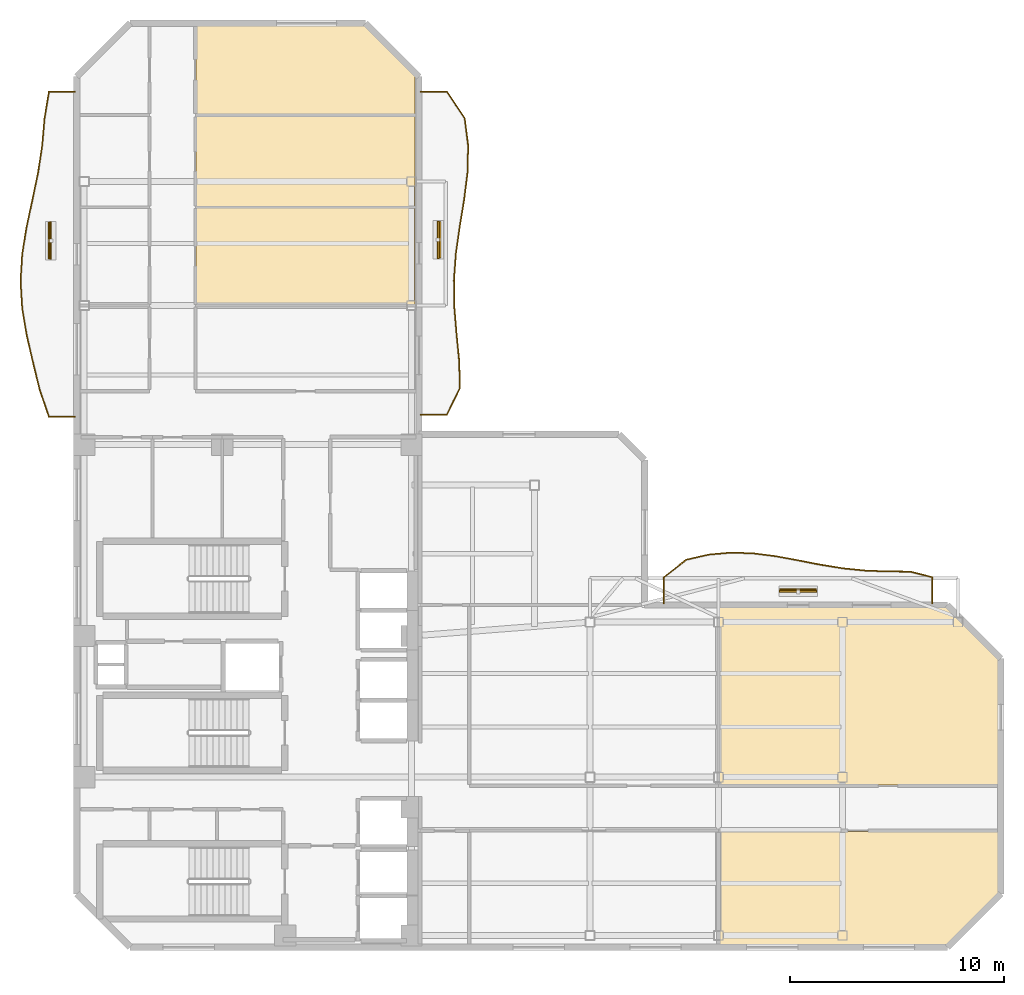
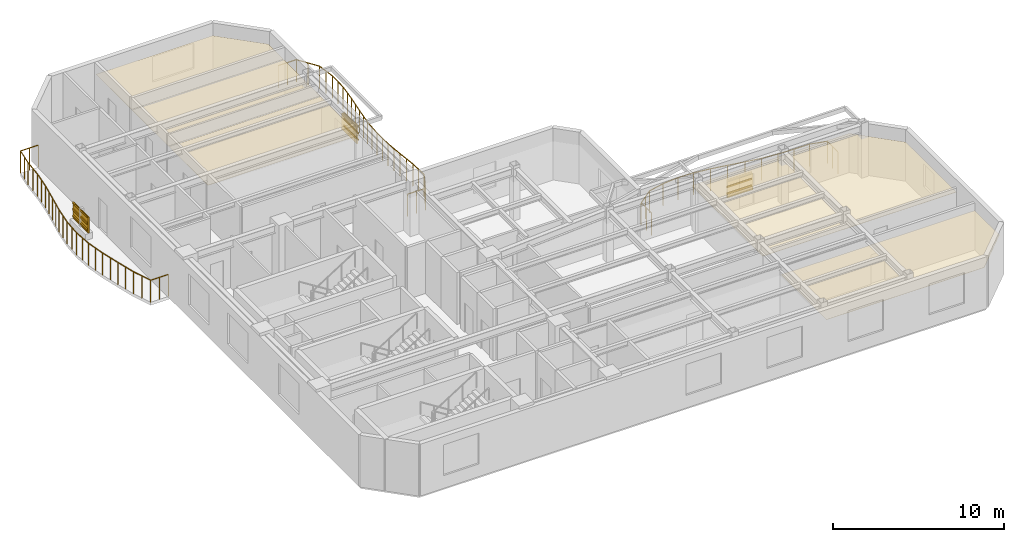
# One storey, part 8 of 8: 12 shading devices, 5 coverings, 3 railings.
"""IFC4 building model written with IfcOpenShell, lengths in metres."""

from ifc_helpers import new_model, si_unit, direction, frame, origin, origin_2d, place, context, subcontext, project, spatial, polyline, rectangle, outline, extrude, material, layer, layer_set, material_profile, profile_set, type_object, element, save


model = new_model("IFC4")

# Units and contexts
model_context = context("Model", 3, precision=1e-05, world=origin(), true_north=direction((0.0, 1.0)))
body_context = subcontext(model_context, "Body", "Model", "MODEL_VIEW")
ifc_project = project(units=[si_unit("LENGTHUNIT", "METRE"), si_unit("AREAUNIT", "SQUARE_METRE"), si_unit("VOLUMEUNIT", "CUBIC_METRE"), si_unit("PLANEANGLEUNIT", "RADIAN"), si_unit("MASSUNIT", "GRAM", prefix="KILO")], contexts=[model_context])

# Site, building, storey
site_placement = place(None, origin())
site = spatial("IfcSite", under=ifc_project, at=site_placement, CompositionType="ELEMENT")
building_placement = place(site_placement, origin())
building = spatial("IfcBuilding", under=site, at=building_placement, Name="Mawjaban Terraces University", CompositionType="ELEMENT")
storey_placement = place(building_placement, frame((0.0, 0.0, 191.39990234375)))
storey = spatial("IfcBuildingStorey", under=building, at=storey_placement, Name="L46", CompositionType="ELEMENT", Elevation=191.39990234375)

# Coverings
ifc_material_1 = material(Name="Acoustic mineral fibre ceiling tile", Category="masonry")
ifc_layer_1 = layer(ifc_material_1, 0.02001953125)
ifc_layer_set_1 = layer_set([ifc_layer_1], Name="Acoustic mineral fibre ceiling tile")
covering_type = type_object("IfcCoveringType", Name="AcousticMineralCeiling_20", PredefinedType="CEILING", material=ifc_layer_set_1)
covering_1_placement = place(storey_placement, frame((0.0, 0.0, 2.75)))
element("IfcCovering", 1, at=covering_1_placement, inside=storey, type_object=covering_type, Name="L46 Design Studio 4 Acoustic Ceiling", PredefinedType="CEILING", context=body_context, shape_type="SweptSolid", body=[
    extrude(outline(polyline([(52.030029296875, 0.114990234375), (62.653076171875, 0.114990234375), (65.0849609375, 2.547119140625), (65.0849609375, 5.419921875), (52.030029296875, 5.419921875), (52.030029296875, 0.114990234375)])), origin(), (0.0, 0.0, 1.0), 0.02001953125),
])
covering_2_placement = place(storey_placement, frame((0.0, 0.0, 2.75)))
element("IfcCovering", 2, at=covering_2_placement, inside=storey, type_object=covering_type, Name="L46 Faculty Office 5 Acoustic Ceiling", PredefinedType="CEILING", context=body_context, shape_type="SweptSolid", body=[
    extrude(outline(polyline([(65.0849609375, 7.580078125), (65.0849609375, 13.452880859375), (62.653076171875, 15.885009765625), (52.030029296875, 15.885009765625), (52.030029296875, 7.580078125), (65.0849609375, 7.580078125)])), origin(), (0.0, 0.0, 1.0), 0.02001953125),
])
covering_3_placement = place(storey_placement, frame((0.0, 0.0, 2.75)))
element("IfcCovering", 3, at=covering_3_placement, inside=storey, type_object=covering_type, Name="L46 Departmental Office 9 Acoustic Ceiling", PredefinedType="CEILING", context=body_context, shape_type="SweptSolid", body=[
    extrude(outline(polyline([(37.820068359375, 30.030029296875), (37.820068359375, 34.570068359375), (27.580078125, 34.570068359375), (27.580078125, 30.030029296875), (37.820068359375, 30.030029296875)])), origin(), (0.0, 0.0, 1.0), 0.02001953125),
])
covering_4_placement = place(storey_placement, frame((0.0, 0.0, 2.75)))
element("IfcCovering", 4, at=covering_4_placement, inside=storey, type_object=covering_type, Name="L46 Student Tea Pantry 11 Acoustic Ceiling", PredefinedType="CEILING", context=body_context, shape_type="SweptSolid", body=[
    extrude(outline(polyline([(37.820068359375, 34.6298828125), (37.820068359375, 38.8701171875), (27.580078125, 38.8701171875), (27.580078125, 34.6298828125), (37.820068359375, 34.6298828125)])), origin(), (0.0, 0.0, 1.0), 0.02001953125),
])
covering_5_placement = place(storey_placement, frame((0.0, 0.0, 2.75)))
element("IfcCovering", 5, at=covering_5_placement, inside=storey, type_object=covering_type, Name="L46 Design Studio 13 Acoustic Ceiling", PredefinedType="CEILING", context=body_context, shape_type="SweptSolid", body=[
    extrude(outline(polyline([(37.820068359375, 40.718017578125), (35.452880859375, 43.0849609375), (27.580078125, 43.0849609375), (27.580078125, 38.929931640625), (37.820068359375, 38.929931640625), (37.820068359375, 40.718017578125)])), origin(), (0.0, 0.0, 1.0), 0.02001953125),
])

# Railings
ifc_material_2 = material(Name="Galvanised powder-coated steel S355", Category="steel")
railing_type = type_object("IfcRailingType", Name="BalconyBalustrade_1600", PredefinedType="BALUSTRADE", material=ifc_material_2)
railing_1_placement = place(storey_placement, frame((21.919921875, 24.800048828125, 0.0)))
element("IfcRailing", 6, at=railing_1_placement, inside=storey, type_object=railing_type, Name="L46 Balcony Guardrail west", PredefinedType="BALUSTRADE", context=body_context, shape_type="SweptSolid", body=[
    extrude(rectangle(XDim=0.048095703125, YDim=0.048095703125, at=origin_2d()), frame((0.0, 0.0, 1.576171875), z_axis=(-1.0, 0.0, 0.0), x_axis=(0.0, -1.0, 0.0)), (0.0, 0.0, 1.0), 1.219970703125),
    extrude(rectangle(XDim=0.048095703125, YDim=0.048095703125, at=origin_2d()), frame((-1.219970703125, 0.0, 1.576171875), z_axis=(-0.32545151155, 0.945558730926, 0.0), x_axis=(-0.945558730926, -0.32545151155, 0.0)), (0.0, 0.0, 1.0), 1.33984375),
    extrude(rectangle(XDim=0.048095703125, YDim=0.048095703125, at=origin_2d()), frame((-1.656005859375, 1.266845703125, 1.576171875), z_axis=(-0.236977743023, 0.971515079302, 0.0), x_axis=(-0.971515079302, -0.236977743023, 0.0)), (0.0, 0.0, 1.0), 1.30322265625),
    extrude(rectangle(XDim=0.048095703125, YDim=0.048095703125, at=origin_2d()), frame((-1.96484375, 2.532958984375, 1.576171875), z_axis=(-0.226161508623, 0.974089817223, 0.0), x_axis=(-0.974089817223, -0.226161508623, 0.0)), (0.0, 0.0, 1.0), 1.30078125),
    extrude(rectangle(XDim=0.048095703125, YDim=0.048095703125, at=origin_2d()), frame((-2.259033203125, 3.800048828125, 1.576171875), z_axis=(-0.165724056097, 0.986172164092, 0.0), x_axis=(-0.986172164092, -0.165724056097, 0.0)), (0.0, 0.0, 1.0), 1.28466796875),
    extrude(rectangle(XDim=0.048095703125, YDim=0.048095703125, at=origin_2d()), frame((-2.471923828125, 5.06689453125, 1.576171875), z_axis=(-0.060628716159, 0.998160387301, 0.0), x_axis=(-0.998160387301, -0.060628716159, 0.0)), (0.0, 0.0, 1.0), 1.2685546875),
    extrude(rectangle(XDim=0.048095703125, YDim=0.048095703125, at=origin_2d()), frame((-2.548828125, 6.3330078125, 1.576171875), z_axis=(0.059827119363, 0.998208753613, 0.0), x_axis=(-0.998208753613, 0.059827119363, 0.0)), (0.0, 0.0, 1.0), 1.26904296875),
    extrude(rectangle(XDim=0.048095703125, YDim=0.048095703125, at=origin_2d()), frame((-2.472900390625, 7.599853515625, 1.576171875), z_axis=(0.158843666488, 0.987303747393, 0.0), x_axis=(-0.987303747393, 0.158843666488, 0.0)), (0.0, 0.0, 1.0), 1.283447265625),
    extrude(rectangle(XDim=0.048095703125, YDim=0.048095703125, at=origin_2d()), frame((-2.26904296875, 8.866943359375, 1.576171875), z_axis=(0.210198511418, 0.977658726651, 0.0), x_axis=(-0.977658726651, 0.210198511418, 0.0)), (0.0, 0.0, 1.0), 1.295166015625),
    extrude(rectangle(XDim=0.048095703125, YDim=0.048095703125, at=origin_2d()), frame((-1.996826171875, 10.133056640625, 1.576171875), z_axis=(0.203946720068, 0.9789819893, 0.0), x_axis=(-0.9789819893, 0.203946720068, 0.0)), (0.0, 0.0, 1.0), 1.2939453125),
    extrude(rectangle(XDim=0.048095703125, YDim=0.048095703125, at=origin_2d()), frame((-1.73291015625, 11.39990234375, 1.576171875), z_axis=(0.152157354346, 0.988356281671, 0.0), x_axis=(-0.988356281671, 0.152157354346, 0.0)), (0.0, 0.0, 1.0), 1.281982421875),
    extrude(rectangle(XDim=0.048095703125, YDim=0.048095703125, at=origin_2d()), frame((-1.537841796875, 12.6669921875, 1.576171875), z_axis=(0.084937844408, 0.996386251705, 0.0), x_axis=(-0.996386251705, 0.084937844408, 0.0)), (0.0, 0.0, 1.0), 1.2705078125),
    extrude(rectangle(XDim=0.048095703125, YDim=0.048095703125, at=origin_2d()), frame((-1.429931640625, 13.932861328125, 1.576171875), z_axis=(0.163474171163, 0.986547614341, 0.0), x_axis=(-0.986547614341, 0.163474171163, 0.0)), (0.0, 0.0, 1.0), 1.284423828125),
    extrude(rectangle(XDim=0.048095703125, YDim=0.048095703125, at=origin_2d()), frame((-1.219970703125, 15.199951171875, 1.576171875), z_axis=(1.0, 0.0, 0.0), x_axis=(0.0, 1.0, 0.0)), (0.0, 0.0, 1.0), 1.219970703125),
    extrude(rectangle(XDim=0.0419921875, YDim=0.0419921875, at=origin_2d()), origin(), (0.0, 0.0, 1.0), 1.552001953125),
    extrude(rectangle(XDim=0.0419921875, YDim=0.0419921875, at=origin_2d()), frame((-0.60986328125, 0.0, 0.0)), (0.0, 0.0, 1.0), 1.552001953125),
    extrude(rectangle(XDim=0.0419921875, YDim=0.0419921875, at=origin_2d()), frame((-1.219970703125, 0.0, 0.0)), (0.0, 0.0, 1.0), 1.552001953125),
    extrude(rectangle(XDim=0.0419921875, YDim=0.0419921875, at=origin_2d()), frame((-1.43798828125, 0.63330078125, 0.0)), (0.0, 0.0, 1.0), 1.552001953125),
    extrude(rectangle(XDim=0.0419921875, YDim=0.0419921875, at=origin_2d()), frame((-1.656005859375, 1.266845703125, 0.0)), (0.0, 0.0, 1.0), 1.552001953125),
    extrude(rectangle(XDim=0.0419921875, YDim=0.0419921875, at=origin_2d()), frame((-1.810546875, 1.89990234375, 0.0)), (0.0, 0.0, 1.0), 1.552001953125),
    extrude(rectangle(XDim=0.0419921875, YDim=0.0419921875, at=origin_2d()), frame((-1.96484375, 2.532958984375, 0.0)), (0.0, 0.0, 1.0), 1.552001953125),
    extrude(rectangle(XDim=0.0419921875, YDim=0.0419921875, at=origin_2d()), frame((-2.11181640625, 3.16650390625, 0.0)), (0.0, 0.0, 1.0), 1.552001953125),
    extrude(rectangle(XDim=0.0419921875, YDim=0.0419921875, at=origin_2d()), frame((-2.259033203125, 3.800048828125, 0.0)), (0.0, 0.0, 1.0), 1.552001953125),
    extrude(rectangle(XDim=0.0419921875, YDim=0.0419921875, at=origin_2d()), frame((-2.365478515625, 4.43359375, 0.0)), (0.0, 0.0, 1.0), 1.552001953125),
    extrude(rectangle(XDim=0.0419921875, YDim=0.0419921875, at=origin_2d()), frame((-2.471923828125, 5.06689453125, 0.0)), (0.0, 0.0, 1.0), 1.552001953125),
    extrude(rectangle(XDim=0.0419921875, YDim=0.0419921875, at=origin_2d()), frame((-2.51025390625, 5.699951171875, 0.0)), (0.0, 0.0, 1.0), 1.552001953125),
    extrude(rectangle(XDim=0.0419921875, YDim=0.0419921875, at=origin_2d()), frame((-2.548828125, 6.3330078125, 0.0)), (0.0, 0.0, 1.0), 1.552001953125),
    extrude(rectangle(XDim=0.0419921875, YDim=0.0419921875, at=origin_2d()), frame((-2.5107421875, 6.96630859375, 0.0)), (0.0, 0.0, 1.0), 1.552001953125),
    extrude(rectangle(XDim=0.0419921875, YDim=0.0419921875, at=origin_2d()), frame((-2.472900390625, 7.599853515625, 0.0)), (0.0, 0.0, 1.0), 1.552001953125),
    extrude(rectangle(XDim=0.0419921875, YDim=0.0419921875, at=origin_2d()), frame((-2.37109375, 8.2333984375, 0.0)), (0.0, 0.0, 1.0), 1.552001953125),
    extrude(rectangle(XDim=0.0419921875, YDim=0.0419921875, at=origin_2d()), frame((-2.26904296875, 8.866943359375, 0.0)), (0.0, 0.0, 1.0), 1.552001953125),
    extrude(rectangle(XDim=0.0419921875, YDim=0.0419921875, at=origin_2d()), frame((-2.1328125, 9.5, 0.0)), (0.0, 0.0, 1.0), 1.552001953125),
    extrude(rectangle(XDim=0.0419921875, YDim=0.0419921875, at=origin_2d()), frame((-1.996826171875, 10.133056640625, 0.0)), (0.0, 0.0, 1.0), 1.552001953125),
    extrude(rectangle(XDim=0.0419921875, YDim=0.0419921875, at=origin_2d()), frame((-1.86474609375, 10.7666015625, 0.0)), (0.0, 0.0, 1.0), 1.552001953125),
    extrude(rectangle(XDim=0.0419921875, YDim=0.0419921875, at=origin_2d()), frame((-1.73291015625, 11.39990234375, 0.0)), (0.0, 0.0, 1.0), 1.552001953125),
    extrude(rectangle(XDim=0.0419921875, YDim=0.0419921875, at=origin_2d()), frame((-1.63525390625, 12.033447265625, 0.0)), (0.0, 0.0, 1.0), 1.552001953125),
    extrude(rectangle(XDim=0.0419921875, YDim=0.0419921875, at=origin_2d()), frame((-1.537841796875, 12.6669921875, 0.0)), (0.0, 0.0, 1.0), 1.552001953125),
    extrude(rectangle(XDim=0.0419921875, YDim=0.0419921875, at=origin_2d()), frame((-1.48388671875, 13.2998046875, 0.0)), (0.0, 0.0, 1.0), 1.552001953125),
    extrude(rectangle(XDim=0.0419921875, YDim=0.0419921875, at=origin_2d()), frame((-1.429931640625, 13.932861328125, 0.0)), (0.0, 0.0, 1.0), 1.552001953125),
    extrude(rectangle(XDim=0.0419921875, YDim=0.0419921875, at=origin_2d()), frame((-1.324951171875, 14.56640625, 0.0)), (0.0, 0.0, 1.0), 1.552001953125),
    extrude(rectangle(XDim=0.0419921875, YDim=0.0419921875, at=origin_2d()), frame((-1.219970703125, 15.199951171875, 0.0)), (0.0, 0.0, 1.0), 1.552001953125),
    extrude(rectangle(XDim=0.0419921875, YDim=0.0419921875, at=origin_2d()), frame((-0.60986328125, 15.199951171875, 0.0)), (0.0, 0.0, 1.0), 1.552001953125),
    extrude(rectangle(XDim=0.0419921875, YDim=0.0419921875, at=origin_2d()), frame((0.0, 15.199951171875, 0.0)), (0.0, 0.0, 1.0), 1.552001953125),
])
railing_2_placement = place(storey_placement, frame((49.449951171875, 16.080078125, 0.0)))
element("IfcRailing", 7, at=railing_2_placement, inside=storey, type_object=railing_type, Name="L46 Balcony Guardrail inner_north", PredefinedType="BALUSTRADE", context=body_context, shape_type="SweptSolid", body=[
    extrude(rectangle(XDim=0.048095703125, YDim=0.048095703125, at=origin_2d()), frame((0.0, 0.0, 1.576171875), z_axis=(0.0, 1.0, 0.0), x_axis=(-1.0, 0.0, 0.0)), (0.0, 0.0, 1.0), 1.219970703125),
    extrude(rectangle(XDim=0.048095703125, YDim=0.048095703125, at=origin_2d()), frame((0.0, 1.219970703125, 1.576171875), z_axis=(0.787458463567, 0.616367721541, 0.0), x_axis=(-0.616367721541, 0.787458463567, 0.0)), (0.0, 0.0, 1.0), 1.32861328125),
    extrude(rectangle(XDim=0.048095703125, YDim=0.048095703125, at=origin_2d()), frame((1.046142578125, 2.038818359375, 1.576171875), z_axis=(0.974670359717, 0.223646350047, 0.0), x_axis=(-0.223646350047, 0.974670359717, 0.0)), (0.0, 0.0, 1.0), 1.072998046875),
    extrude(rectangle(XDim=0.048095703125, YDim=0.048095703125, at=origin_2d()), frame((2.092041015625, 2.27880859375, 1.576171875), z_axis=(0.996068538535, 0.088585927447, 0.0), x_axis=(-0.088585927447, 0.996068538535, 0.0)), (0.0, 0.0, 1.0), 1.050048828125),
    extrude(rectangle(XDim=0.048095703125, YDim=0.048095703125, at=origin_2d()), frame((3.137939453125, 2.371826171875, 1.576171875), z_axis=(0.999442572521, -0.033384790439, 0.0), x_axis=(0.033384790439, 0.999442572521, 0.0)), (0.0, 0.0, 1.0), 1.045654296875),
    extrude(rectangle(XDim=0.048095703125, YDim=0.048095703125, at=origin_2d()), frame((4.18310546875, 2.3369140625, 1.576171875), z_axis=(0.991888402618, -0.127111749075, 0.0), x_axis=(0.127111749075, 0.991888402618, 0.0)), (0.0, 0.0, 1.0), 1.054443359375),
    extrude(rectangle(XDim=0.048095703125, YDim=0.048095703125, at=origin_2d()), frame((5.22900390625, 2.202880859375, 1.576171875), z_axis=(0.983262217622, -0.182196079531, 0.0), x_axis=(0.182196079531, 0.983262217622, 0.0)), (0.0, 0.0, 1.0), 1.06396484375),
    extrude(rectangle(XDim=0.048095703125, YDim=0.048095703125, at=origin_2d()), frame((6.275146484375, 2.009033203125, 1.576171875), z_axis=(0.981658297629, -0.190648857056, 0.0), x_axis=(0.190648857056, 0.981658297629, 0.0)), (0.0, 0.0, 1.0), 1.0654296875),
    extrude(rectangle(XDim=0.048095703125, YDim=0.048095703125, at=origin_2d()), frame((7.321044921875, 1.805908203125, 1.576171875), z_axis=(0.987203699623, -0.15946427641, 0.0), x_axis=(0.15946427641, 0.987203699623, 0.0)), (0.0, 0.0, 1.0), 1.0595703125),
    extrude(rectangle(XDim=0.048095703125, YDim=0.048095703125, at=origin_2d()), frame((8.366943359375, 1.636962890625, 1.576171875), z_axis=(0.994900506219, -0.100861205256, 0.0), x_axis=(0.100861205256, 0.994900506219, 0.0)), (0.0, 0.0, 1.0), 1.050537109375),
    extrude(rectangle(XDim=0.048095703125, YDim=0.048095703125, at=origin_2d()), frame((9.412109375, 1.531005859375, 1.576171875), z_axis=(0.999268049437, -0.038253958942, 0.0), x_axis=(0.038253958942, 0.999268049437, 0.0)), (0.0, 0.0, 1.0), 1.046630859375),
    extrude(rectangle(XDim=0.048095703125, YDim=0.048095703125, at=origin_2d()), frame((10.4580078125, 1.490966796875, 1.576171875), z_axis=(0.999977099265, -0.006767639645, 0.0), x_axis=(0.006767639645, 0.999977099265, 0.0)), (0.0, 0.0, 1.0), 1.046142578125),
    extrude(rectangle(XDim=0.048095703125, YDim=0.048095703125, at=origin_2d()), frame((11.504150390625, 1.48388671875, 1.576171875), z_axis=(0.969607614857, -0.244665226812, 0.0), x_axis=(0.244665226812, 0.969607614857, 0.0)), (0.0, 0.0, 1.0), 1.07861328125),
    extrude(rectangle(XDim=0.048095703125, YDim=0.048095703125, at=origin_2d()), frame((12.550048828125, 1.219970703125, 1.576171875), z_axis=(0.0, -1.0, 0.0), x_axis=(1.0, 0.0, 0.0)), (0.0, 0.0, 1.0), 1.219970703125),
    extrude(rectangle(XDim=0.0419921875, YDim=0.0419921875, at=origin_2d()), origin(), (0.0, 0.0, 1.0), 1.552001953125),
    extrude(rectangle(XDim=0.0419921875, YDim=0.0419921875, at=origin_2d()), frame((0.0, 0.60986328125, 0.0)), (0.0, 0.0, 1.0), 1.552001953125),
    extrude(rectangle(XDim=0.0419921875, YDim=0.0419921875, at=origin_2d()), frame((0.0, 1.219970703125, 0.0)), (0.0, 0.0, 1.0), 1.552001953125),
    extrude(rectangle(XDim=0.0419921875, YDim=0.0419921875, at=origin_2d()), frame((0.52294921875, 1.62939453125, 0.0)), (0.0, 0.0, 1.0), 1.552001953125),
    extrude(rectangle(XDim=0.0419921875, YDim=0.0419921875, at=origin_2d()), frame((1.046142578125, 2.038818359375, 0.0)), (0.0, 0.0, 1.0), 1.552001953125),
    extrude(rectangle(XDim=0.0419921875, YDim=0.0419921875, at=origin_2d()), frame((2.092041015625, 2.27880859375, 0.0)), (0.0, 0.0, 1.0), 1.552001953125),
    extrude(rectangle(XDim=0.0419921875, YDim=0.0419921875, at=origin_2d()), frame((3.137939453125, 2.371826171875, 0.0)), (0.0, 0.0, 1.0), 1.552001953125),
    extrude(rectangle(XDim=0.0419921875, YDim=0.0419921875, at=origin_2d()), frame((4.18310546875, 2.3369140625, 0.0)), (0.0, 0.0, 1.0), 1.552001953125),
    extrude(rectangle(XDim=0.0419921875, YDim=0.0419921875, at=origin_2d()), frame((5.22900390625, 2.202880859375, 0.0)), (0.0, 0.0, 1.0), 1.552001953125),
    extrude(rectangle(XDim=0.0419921875, YDim=0.0419921875, at=origin_2d()), frame((6.275146484375, 2.009033203125, 0.0)), (0.0, 0.0, 1.0), 1.552001953125),
    extrude(rectangle(XDim=0.0419921875, YDim=0.0419921875, at=origin_2d()), frame((7.321044921875, 1.805908203125, 0.0)), (0.0, 0.0, 1.0), 1.552001953125),
    extrude(rectangle(XDim=0.0419921875, YDim=0.0419921875, at=origin_2d()), frame((8.366943359375, 1.636962890625, 0.0)), (0.0, 0.0, 1.0), 1.552001953125),
    extrude(rectangle(XDim=0.0419921875, YDim=0.0419921875, at=origin_2d()), frame((9.412109375, 1.531005859375, 0.0)), (0.0, 0.0, 1.0), 1.552001953125),
    extrude(rectangle(XDim=0.0419921875, YDim=0.0419921875, at=origin_2d()), frame((10.4580078125, 1.490966796875, 0.0)), (0.0, 0.0, 1.0), 1.552001953125),
    extrude(rectangle(XDim=0.0419921875, YDim=0.0419921875, at=origin_2d()), frame((11.504150390625, 1.48388671875, 0.0)), (0.0, 0.0, 1.0), 1.552001953125),
    extrude(rectangle(XDim=0.0419921875, YDim=0.0419921875, at=origin_2d()), frame((12.550048828125, 1.219970703125, 0.0)), (0.0, 0.0, 1.0), 1.552001953125),
    extrude(rectangle(XDim=0.0419921875, YDim=0.0419921875, at=origin_2d()), frame((12.550048828125, 0.60986328125, 0.0)), (0.0, 0.0, 1.0), 1.552001953125),
    extrude(rectangle(XDim=0.0419921875, YDim=0.0419921875, at=origin_2d()), frame((12.550048828125, 0.0, 0.0)), (0.0, 0.0, 1.0), 1.552001953125),
])
railing_3_placement = place(storey_placement, frame((38.080078125, 24.887939453125, 0.0)))
element("IfcRailing", 8, at=railing_3_placement, inside=storey, type_object=railing_type, Name="L46 Balcony Guardrail inner_east", PredefinedType="BALUSTRADE", context=body_context, shape_type="SweptSolid", body=[
    extrude(rectangle(XDim=0.048095703125, YDim=0.048095703125, at=origin_2d()), frame((0.0, 0.0, 1.576171875), z_axis=(1.0, 0.0, 0.0), x_axis=(0.0, 1.0, 0.0)), (0.0, 0.0, 1.0), 1.219970703125),
    extrude(rectangle(XDim=0.048095703125, YDim=0.048095703125, at=origin_2d()), frame((1.219970703125, 0.0, 1.576171875), z_axis=(0.439463162109, 0.898260613157, 0.0), x_axis=(-0.898260613157, 0.439463162109, 0.0)), (0.0, 0.0, 1.0), 1.401611328125),
    extrude(rectangle(XDim=0.048095703125, YDim=0.048095703125, at=origin_2d()), frame((1.8359375, 1.259033203125, 1.576171875), z_axis=(-0.026923002118, 0.999637510279, 0.0), x_axis=(-0.999637510279, -0.026923002118, 0.0)), (0.0, 0.0, 1.0), 1.260498046875),
    extrude(rectangle(XDim=0.048095703125, YDim=0.048095703125, at=origin_2d()), frame((1.802001953125, 2.51904296875, 1.576171875), z_axis=(-0.097267821338, 0.995258243338, 0.0), x_axis=(-0.995258243338, -0.097267821338, 0.0)), (0.0, 0.0, 1.0), 1.26513671875),
    extrude(rectangle(XDim=0.048095703125, YDim=0.048095703125, at=origin_2d()), frame((1.678955078125, 3.778076171875, 1.576171875), z_axis=(-0.082325757548, 0.996605473417, 0.0), x_axis=(-0.996605473417, -0.082325757548, 0.0)), (0.0, 0.0, 1.0), 1.263427734375),
    extrude(rectangle(XDim=0.048095703125, YDim=0.048095703125, at=origin_2d()), frame((1.574951171875, 5.037109375, 1.576171875), z_axis=(-0.014336832872, 0.99989722233, 0.0), x_axis=(-0.99989722233, -0.014336832872, 0.0)), (0.0, 0.0, 1.0), 1.26025390625),
    extrude(rectangle(XDim=0.048095703125, YDim=0.048095703125, at=origin_2d()), frame((1.556884765625, 6.297119140625, 1.576171875), z_axis=(0.07290995248, 0.997338527697, 0.0), x_axis=(-0.997338527697, 0.07290995248, 0.0)), (0.0, 0.0, 1.0), 1.262451171875),
    extrude(rectangle(XDim=0.048095703125, YDim=0.048095703125, at=origin_2d()), frame((1.64892578125, 7.55615234375, 1.576171875), z_axis=(0.141501994625, 0.98993797054, 0.0), x_axis=(-0.98993797054, 0.141501994625, 0.0)), (0.0, 0.0, 1.0), 1.271484375),
    extrude(rectangle(XDim=0.048095703125, YDim=0.048095703125, at=origin_2d()), frame((1.828857421875, 8.81494140625, 1.576171875), z_axis=(0.162135193515, 0.986768553929, 0.0), x_axis=(-0.986768553929, 0.162135193515, 0.0)), (0.0, 0.0, 1.0), 1.27685546875),
    extrude(rectangle(XDim=0.048095703125, YDim=0.048095703125, at=origin_2d()), frame((2.035888671875, 10.074951171875, 1.576171875), z_axis=(0.122968844237, 0.992410531659, 0.0), x_axis=(-0.992410531659, 0.122968844237, 0.0)), (0.0, 0.0, 1.0), 1.2685546875),
    extrude(rectangle(XDim=0.048095703125, YDim=0.048095703125, at=origin_2d()), frame((2.19189453125, 11.333984375, 1.576171875), z_axis=(0.02229424414, 0.999751452451, 0.0), x_axis=(-0.999751452451, 0.02229424414, 0.0)), (0.0, 0.0, 1.0), 1.25927734375),
    extrude(rectangle(XDim=0.048095703125, YDim=0.048095703125, at=origin_2d()), frame((2.219970703125, 12.593017578125, 1.576171875), z_axis=(-0.125146677276, 0.992138251035, 0.0), x_axis=(-0.992138251035, -0.125146677276, 0.0)), (0.0, 0.0, 1.0), 1.27001953125),
    extrude(rectangle(XDim=0.048095703125, YDim=0.048095703125, at=origin_2d()), frame((2.06103515625, 13.85302734375, 1.576171875), z_axis=(-0.555481358902, 0.831528989219, 0.0), x_axis=(-0.831528989219, -0.555481358902, 0.0)), (0.0, 0.0, 1.0), 1.51416015625),
    extrude(rectangle(XDim=0.048095703125, YDim=0.048095703125, at=origin_2d()), frame((1.219970703125, 15.112060546875, 1.576171875), z_axis=(-1.0, 0.0, 0.0), x_axis=(0.0, -1.0, 0.0)), (0.0, 0.0, 1.0), 1.219970703125),
    extrude(rectangle(XDim=0.0419921875, YDim=0.0419921875, at=origin_2d()), origin(), (0.0, 0.0, 1.0), 1.552001953125),
    extrude(rectangle(XDim=0.0419921875, YDim=0.0419921875, at=origin_2d()), frame((0.60986328125, 0.0, 0.0)), (0.0, 0.0, 1.0), 1.552001953125),
    extrude(rectangle(XDim=0.0419921875, YDim=0.0419921875, at=origin_2d()), frame((1.219970703125, 0.0, 0.0)), (0.0, 0.0, 1.0), 1.552001953125),
    extrude(rectangle(XDim=0.0419921875, YDim=0.0419921875, at=origin_2d()), frame((1.52783203125, 0.62939453125, 0.0)), (0.0, 0.0, 1.0), 1.552001953125),
    extrude(rectangle(XDim=0.0419921875, YDim=0.0419921875, at=origin_2d()), frame((1.8359375, 1.259033203125, 0.0)), (0.0, 0.0, 1.0), 1.552001953125),
    extrude(rectangle(XDim=0.0419921875, YDim=0.0419921875, at=origin_2d()), frame((1.81884765625, 1.88916015625, 0.0)), (0.0, 0.0, 1.0), 1.552001953125),
    extrude(rectangle(XDim=0.0419921875, YDim=0.0419921875, at=origin_2d()), frame((1.802001953125, 2.51904296875, 0.0)), (0.0, 0.0, 1.0), 1.552001953125),
    extrude(rectangle(XDim=0.0419921875, YDim=0.0419921875, at=origin_2d()), frame((1.740478515625, 3.1484375, 0.0)), (0.0, 0.0, 1.0), 1.552001953125),
    extrude(rectangle(XDim=0.0419921875, YDim=0.0419921875, at=origin_2d()), frame((1.678955078125, 3.778076171875, 0.0)), (0.0, 0.0, 1.0), 1.552001953125),
    extrude(rectangle(XDim=0.0419921875, YDim=0.0419921875, at=origin_2d()), frame((1.626953125, 4.40771484375, 0.0)), (0.0, 0.0, 1.0), 1.552001953125),
    extrude(rectangle(XDim=0.0419921875, YDim=0.0419921875, at=origin_2d()), frame((1.574951171875, 5.037109375, 0.0)), (0.0, 0.0, 1.0), 1.552001953125),
    extrude(rectangle(XDim=0.0419921875, YDim=0.0419921875, at=origin_2d()), frame((1.56591796875, 5.6669921875, 0.0)), (0.0, 0.0, 1.0), 1.552001953125),
    extrude(rectangle(XDim=0.0419921875, YDim=0.0419921875, at=origin_2d()), frame((1.556884765625, 6.297119140625, 0.0)), (0.0, 0.0, 1.0), 1.552001953125),
    extrude(rectangle(XDim=0.0419921875, YDim=0.0419921875, at=origin_2d()), frame((1.60302734375, 6.9267578125, 0.0)), (0.0, 0.0, 1.0), 1.552001953125),
    extrude(rectangle(XDim=0.0419921875, YDim=0.0419921875, at=origin_2d()), frame((1.64892578125, 7.55615234375, 0.0)), (0.0, 0.0, 1.0), 1.552001953125),
    extrude(rectangle(XDim=0.0419921875, YDim=0.0419921875, at=origin_2d()), frame((1.73876953125, 8.185546875, 0.0)), (0.0, 0.0, 1.0), 1.552001953125),
    extrude(rectangle(XDim=0.0419921875, YDim=0.0419921875, at=origin_2d()), frame((1.828857421875, 8.81494140625, 0.0)), (0.0, 0.0, 1.0), 1.552001953125),
    extrude(rectangle(XDim=0.0419921875, YDim=0.0419921875, at=origin_2d()), frame((1.932373046875, 9.44482421875, 0.0)), (0.0, 0.0, 1.0), 1.552001953125),
    extrude(rectangle(XDim=0.0419921875, YDim=0.0419921875, at=origin_2d()), frame((2.035888671875, 10.074951171875, 0.0)), (0.0, 0.0, 1.0), 1.552001953125),
    extrude(rectangle(XDim=0.0419921875, YDim=0.0419921875, at=origin_2d()), frame((2.11376953125, 10.70458984375, 0.0)), (0.0, 0.0, 1.0), 1.552001953125),
    extrude(rectangle(XDim=0.0419921875, YDim=0.0419921875, at=origin_2d()), frame((2.19189453125, 11.333984375, 0.0)), (0.0, 0.0, 1.0), 1.552001953125),
    extrude(rectangle(XDim=0.0419921875, YDim=0.0419921875, at=origin_2d()), frame((2.2060546875, 11.96337890625, 0.0)), (0.0, 0.0, 1.0), 1.552001953125),
    extrude(rectangle(XDim=0.0419921875, YDim=0.0419921875, at=origin_2d()), frame((2.219970703125, 12.593017578125, 0.0)), (0.0, 0.0, 1.0), 1.552001953125),
    extrude(rectangle(XDim=0.0419921875, YDim=0.0419921875, at=origin_2d()), frame((2.140625, 13.22314453125, 0.0)), (0.0, 0.0, 1.0), 1.552001953125),
    extrude(rectangle(XDim=0.0419921875, YDim=0.0419921875, at=origin_2d()), frame((2.06103515625, 13.85302734375, 0.0)), (0.0, 0.0, 1.0), 1.552001953125),
    extrude(rectangle(XDim=0.0419921875, YDim=0.0419921875, at=origin_2d()), frame((1.640625, 14.482421875, 0.0)), (0.0, 0.0, 1.0), 1.552001953125),
    extrude(rectangle(XDim=0.0419921875, YDim=0.0419921875, at=origin_2d()), frame((1.219970703125, 15.112060546875, 0.0)), (0.0, 0.0, 1.0), 1.552001953125),
    extrude(rectangle(XDim=0.0419921875, YDim=0.0419921875, at=origin_2d()), frame((0.60986328125, 15.112060546875, 0.0)), (0.0, 0.0, 1.0), 1.552001953125),
    extrude(rectangle(XDim=0.0419921875, YDim=0.0419921875, at=origin_2d()), frame((0.0, 15.112060546875, 0.0)), (0.0, 0.0, 1.0), 1.552001953125),
])

# Shading devices
ifc_material_3 = material(Name="Glazed architectural terracotta ceramic", Category="masonry")
ifc_material_profile = material_profile(ifc_material_3, rectangle(XDim=0.06494140625, YDim=0.110107421875, at=origin_2d()), Name="TBAG110X65")
ifc_profile_set = profile_set([ifc_material_profile], Name="Glazed architectural terracotta ceramic")
shading_device_type_1 = type_object("IfcShadingDeviceType", Name="TerracottaBaguette_110x65", PredefinedType="USERDEFINED", material=ifc_profile_set)
for number, where, z_axis, x_axis, name in (
    (9, (20.694091796875, 32.18408203125, 0.68017578125), (0.0, 1.0, 0.0), (-1.0, 0.0, 0.0), "L46 Horizontal Terracotta Baguette west.1"),
    (10, (20.694091796875, 32.18408203125, 1.150146484375), (0.0, 1.0, 0.0), (-1.0, 0.0, 0.0), "L46 Horizontal Terracotta Baguette west.2"),
    (11, (20.694091796875, 32.18408203125, 1.6201171875), (0.0, 1.0, 0.0), (-1.0, 0.0, 0.0), "L46 Horizontal Terracotta Baguette west.3"),
    (12, (54.875, 16.72998046875, 0.68017578125), (1.0, 0.0, 0.0), (0.0, 1.0, 0.0), "L46 Horizontal Terracotta Baguette inner_north.1"),
    (13, (54.875, 16.72998046875, 1.150146484375), (1.0, 0.0, 0.0), (0.0, 1.0, 0.0), "L46 Horizontal Terracotta Baguette inner_north.2"),
    (14, (54.875, 16.72998046875, 1.6201171875), (1.0, 0.0, 0.0), (0.0, 1.0, 0.0), "L46 Horizontal Terracotta Baguette inner_north.3"),
    (15, (38.989013671875, 32.22412109375, 0.68017578125), (0.0, 1.0, 0.0), (-1.0, 0.0, 0.0), "L46 Horizontal Terracotta Baguette inner_east.1"),
    (16, (38.989013671875, 32.22412109375, 1.150146484375), (0.0, 1.0, 0.0), (-1.0, 0.0, 0.0), "L46 Horizontal Terracotta Baguette inner_east.2"),
    (17, (38.989013671875, 32.22412109375, 1.6201171875), (0.0, 1.0, 0.0), (-1.0, 0.0, 0.0), "L46 Horizontal Terracotta Baguette inner_east.3"),
):
    element("IfcShadingDevice", number, at=place(storey_placement, frame(where, z_axis=z_axis, x_axis=x_axis)), inside=storey, type_object=shading_device_type_1, Name=name, ObjectType="BAGUETTE", PredefinedType="USERDEFINED", context=body_context, shape_type="SweptSolid", body=[
        extrude(rectangle(XDim=0.06494140625, YDim=0.110107421875, at=origin_2d()), origin(), (0.0, 0.0, 1.0), 1.699951171875),
    ])
ifc_layer_2 = layer(ifc_material_3, 0.080078125)
ifc_layer_set_2 = layer_set([ifc_layer_2], Name="Glazed architectural terracotta ceramic")
shading_device_type_2 = type_object("IfcShadingDeviceType", Name="TerracottaScreen_Perforated", PredefinedType="USERDEFINED", material=ifc_layer_set_2)
for number, where, z_axis, x_axis, name in (
    (18, (20.779052734375, 33.033935546875, 0.440185546875), (0.0, 0.0, 1.0), (0.0, 1.0, 0.0), "L46 Balcony Perforated Terracotta Screen west"),
    (19, (55.72509765625, 16.64501953125, 0.440185546875), (0.0, 0.0, 1.0), (1.0, 0.0, 0.0), "L46 Balcony Perforated Terracotta Screen inner_north"),
    (20, (38.904052734375, 33.073974609375, 0.440185546875), (0.0, 0.0, 1.0), (0.0, 1.0, 0.0), "L46 Balcony Perforated Terracotta Screen inner_east"),
):
    element("IfcShadingDevice", number, at=place(storey_placement, frame(where, z_axis=z_axis, x_axis=x_axis)), inside=storey, type_object=shading_device_type_2, Name=name, ObjectType="SCREEN", PredefinedType="USERDEFINED", context=body_context, shape_type="SweptSolid", body=[
        extrude(rectangle(XDim=1.75, YDim=0.080078125, at=origin_2d()), origin(), (0.0, 0.0, 1.0), 1.14990234375),
    ])

save(model, "model.ifc")
